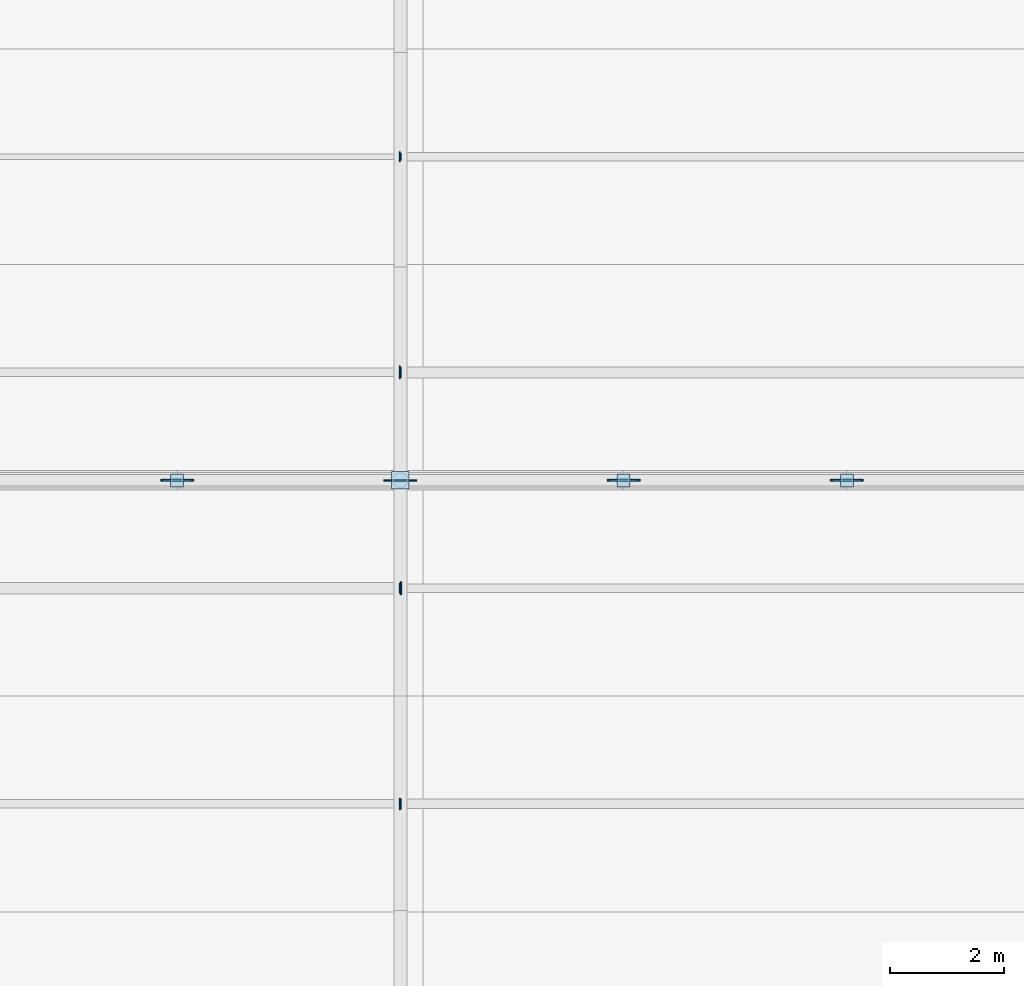
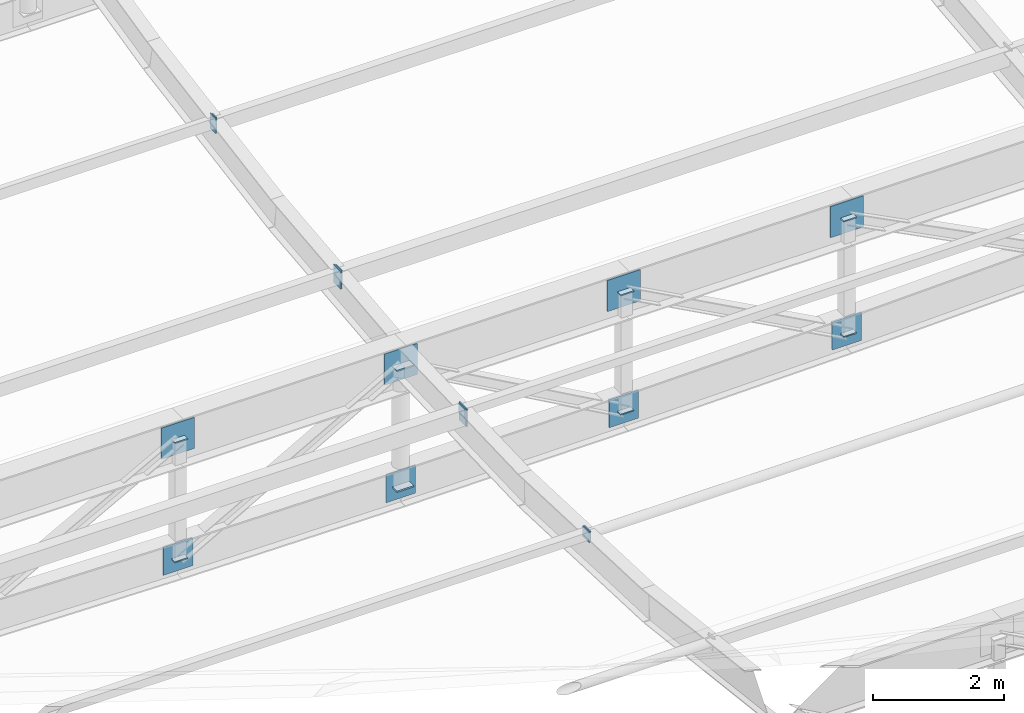
# One storey, part 48 of 65: 24 plates.
"""IFC4 building model written with IfcOpenShell, lengths in metres."""

from ifc_helpers import new_model, si_unit, direction, frame, origin, origin_2d, place, context, subcontext, project, spatial, rectangle, extrude, material, layer, layer_set, type_object, element, save


model = new_model("IFC4")

# Units and contexts
model_context = context("Model", 3, precision=1e-05, world=origin(), true_north=direction((0.0, 1.0)))
body_context = subcontext(model_context, "Body", "Model", "MODEL_VIEW")
ifc_project = project(units=[si_unit("LENGTHUNIT", "METRE"), si_unit("AREAUNIT", "SQUARE_METRE"), si_unit("VOLUMEUNIT", "CUBIC_METRE"), si_unit("PLANEANGLEUNIT", "RADIAN"), si_unit("MASSUNIT", "GRAM", prefix="KILO"), si_unit("POWERUNIT", "WATT"), si_unit("THERMODYNAMICTEMPERATUREUNIT", "KELVIN")], contexts=[model_context])

# Site, building, storey
site_placement = place(None, origin())
site = spatial("IfcSite", under=ifc_project, at=site_placement, CompositionType="ELEMENT")
building_placement = place(site_placement, origin())
building = spatial("IfcBuilding", under=site, at=building_placement, Name="Kelmbourne Parkland Aquatics Centre", CompositionType="ELEMENT")
storey_placement = place(building_placement, frame((0.0, 0.0, 27.0)))
storey = spatial("IfcBuildingStorey", under=building, at=storey_placement, Name="RF", CompositionType="ELEMENT", Elevation=27.0)

# Plates
ifc_material = material(Name="Welded plate steel AS/NZS 3678 Grade 350", Category="steel")
ifc_layer_1 = layer(ifc_material, 0.02001953125)
ifc_layer_set_1 = layer_set([ifc_layer_1], Name="Welded plate steel AS/NZS 3678 Grade 350")
plate_type_1 = type_object("IfcPlateType", Name="PL-CAP-20", PredefinedType="USERDEFINED", material=ifc_layer_set_1)
for number, where, z_axis, x_axis, name in (
    (1, (147.666748046875, 57.800048828125, -15.109130859375), (0.0, 0.0, 1.0), (1.0, 0.0, 0.0), "Hollow end cap plate CAP-0155"),
    (2, (147.666748046875, 57.800048828125, -12.884521484375), (0.0, 0.0, 1.0), (1.0, 0.0, 0.0), "Hollow end cap plate CAP-0156"),
    (3, (155.533203125, 57.800048828125, -15.109130859375), (0.0, 0.0, 1.0), (1.0, 0.0, 0.0), "Hollow end cap plate CAP-0159"),
    (4, (155.533203125, 57.800048828125, -12.884521484375), (0.0, 0.0, 1.0), (1.0, 0.0, 0.0), "Hollow end cap plate CAP-0160"),
    (5, (159.466796875, 57.800048828125, -15.038330078125), (0.0, 0.0, 1.0), (1.0, 0.0, 0.0), "Hollow end cap plate CAP-0161"),
    (6, (159.466796875, 57.800048828125, -12.884521484375), (0.0, 0.0, 1.0), (1.0, 0.0, 0.0), "Hollow end cap plate CAP-0162"),
):
    element("IfcPlate", number, at=place(storey_placement, frame(where, z_axis=z_axis, x_axis=x_axis)), inside=storey, type_object=plate_type_1, Name=name, ObjectType="END CAP PLATE", PredefinedType="USERDEFINED", context=body_context, shape_type="SweptSolid", body=[
        extrude(rectangle(XDim=0.22998046875, YDim=0.22998046875, at=origin_2d()), origin(), (0.0, 0.0, 1.0), 0.02001953125),
    ])
plate_1_placement = place(storey_placement, frame((151.60888671875, 52.10009765625, -12.67822265625), z_axis=(0.0, 0.0, 1.0), x_axis=(1.0, 0.0, 0.0)))
element("IfcPlate", 7, at=plate_1_placement, inside=storey, type_object=plate_type_1, Name="Hollow end cap plate CAP-0408", ObjectType="END CAP PLATE", PredefinedType="USERDEFINED", context=body_context, shape_type="SweptSolid", body=[
    extrude(rectangle(XDim=0.02001953125, YDim=0.179931640625, at=origin_2d()), origin(), (0.0, 0.0, 1.0), 0.179931640625),
])
plate_2_placement = place(storey_placement, frame((151.591064453125, 52.10009765625, -12.69677734375), z_axis=(0.0, 0.0, 1.0), x_axis=(-1.0, 0.0, 0.0)))
element("IfcPlate", 8, at=plate_2_placement, inside=storey, type_object=plate_type_1, Name="Hollow end cap plate CAP-0409", ObjectType="END CAP PLATE", PredefinedType="USERDEFINED", context=body_context, shape_type="SweptSolid", body=[
    extrude(rectangle(XDim=0.02001953125, YDim=0.1982421875, at=origin_2d()), origin(), (0.0, 0.0, 1.0), 0.1982421875),
])
plate_3_placement = place(storey_placement, frame((151.591064453125, 55.89990234375, -12.6865234375), z_axis=(0.0, 0.0, 1.0), x_axis=(-1.0, 0.0, 0.0)))
element("IfcPlate", 9, at=plate_3_placement, inside=storey, type_object=plate_type_1, Name="Hollow end cap plate CAP-0417", ObjectType="END CAP PLATE", PredefinedType="USERDEFINED", context=body_context, shape_type="SweptSolid", body=[
    extrude(rectangle(XDim=0.02001953125, YDim=0.179931640625, at=origin_2d()), origin(), (0.0, 0.0, 1.0), 0.179931640625),
])
plate_4_placement = place(storey_placement, frame((151.60888671875, 59.699951171875, -12.5166015625), z_axis=(0.0, 0.0, 1.0), x_axis=(1.0, 0.0, 0.0)))
element("IfcPlate", 10, at=plate_4_placement, inside=storey, type_object=plate_type_1, Name="Hollow end cap plate CAP-0424", ObjectType="END CAP PLATE", PredefinedType="USERDEFINED", context=body_context, shape_type="SweptSolid", body=[
    extrude(rectangle(XDim=0.02001953125, YDim=0.179931640625, at=origin_2d()), origin(), (0.0, 0.0, 1.0), 0.280029296875),
])
plate_5_placement = place(storey_placement, frame((151.60888671875, 63.5, -11.936279296875), z_axis=(0.0, 0.0, 1.0), x_axis=(1.0, 0.0, 0.0)))
element("IfcPlate", 11, at=plate_5_placement, inside=storey, type_object=plate_type_1, Name="Hollow end cap plate CAP-0432", ObjectType="END CAP PLATE", PredefinedType="USERDEFINED", context=body_context, shape_type="SweptSolid", body=[
    extrude(rectangle(XDim=0.02001953125, YDim=0.1298828125, at=origin_2d()), origin(), (0.0, 0.0, 1.0), 0.22998046875),
])
plate_6_placement = place(storey_placement, frame((151.591064453125, 63.5, -11.986328125), z_axis=(0.0, 0.0, 1.0), x_axis=(-1.0, 0.0, 0.0)))
element("IfcPlate", 12, at=plate_6_placement, inside=storey, type_object=plate_type_1, Name="Hollow end cap plate CAP-0433", ObjectType="END CAP PLATE", PredefinedType="USERDEFINED", context=body_context, shape_type="SweptSolid", body=[
    extrude(rectangle(XDim=0.02001953125, YDim=0.179931640625, at=origin_2d()), origin(), (0.0, 0.0, 1.0), 0.280029296875),
])
ifc_layer_2 = layer(ifc_material, 0.02392578125)
ifc_layer_set_2 = layer_set([ifc_layer_2], Name="Welded plate steel AS/NZS 3678 Grade 350")
plate_type_2 = type_object("IfcPlateType", Name="PL-CAP-24", PredefinedType="USERDEFINED", material=ifc_layer_set_2)
for number, where, z_axis, x_axis, name in (
    (13, (151.60009765625, 57.800048828125, -15.136474609375), (0.0, 0.0, 1.0), (1.0, 0.0, 0.0), "Hollow end cap plate CAP-0157"),
    (14, (151.60009765625, 57.800048828125, -12.884521484375), (0.0, 0.0, 1.0), (1.0, 0.0, 0.0), "Hollow end cap plate CAP-0158"),
):
    element("IfcPlate", number, at=place(storey_placement, frame(where, z_axis=z_axis, x_axis=x_axis)), inside=storey, type_object=plate_type_2, Name=name, ObjectType="END CAP PLATE", PredefinedType="USERDEFINED", context=body_context, shape_type="SweptSolid", body=[
        extrude(rectangle(XDim=0.302978515625, YDim=0.302978515625, at=origin_2d()), origin(), (0.0, 0.0, 1.0), 0.02392578125),
    ])
for number, where, z_axis, x_axis, name in (
    (15, (151.611083984375, 55.89990234375, -12.8369140625), (0.0, 0.0, 1.0), (1.0, 0.0, 0.0), "Hollow end cap plate CAP-0416"),
    (16, (151.589111328125, 59.699951171875, -12.566650390625), (0.0, 0.0, 1.0), (-1.0, 0.0, 0.0), "Hollow end cap plate CAP-0425"),
):
    element("IfcPlate", number, at=place(storey_placement, frame(where, z_axis=z_axis, x_axis=x_axis)), inside=storey, type_object=plate_type_2, Name=name, ObjectType="END CAP PLATE", PredefinedType="USERDEFINED", context=body_context, shape_type="SweptSolid", body=[
        extrude(rectangle(XDim=0.02392578125, YDim=0.22998046875, at=origin_2d()), origin(), (0.0, 0.0, 1.0), 0.330078125),
    ])
ifc_layer_3 = layer(ifc_material, 0.02490234375)
ifc_layer_set_3 = layer_set([ifc_layer_3], Name="Welded plate steel AS/NZS 3678 Grade 350")
plate_type_3 = type_object("IfcPlateType", Name="PL-GUS-2", PredefinedType="USERDEFINED", material=ifc_layer_set_3)
plate_7_placement = place(storey_placement, frame((151.60009765625, 57.800048828125, -13.173583984375), z_axis=(0.0, 0.0, 1.0), x_axis=(1.0, 0.0, 0.0)))
element("IfcPlate", 17, at=plate_7_placement, inside=storey, type_object=plate_type_3, Name="Truss top node TN-2 gusset plate R05-N6", ObjectType="GUSSET PLATE", PredefinedType="USERDEFINED", context=body_context, shape_type="SweptSolid", body=[
    extrude(rectangle(XDim=0.580078125, YDim=0.02490234375, at=origin_2d()), origin(), (0.0, 0.0, 1.0), 0.580078125),
])
plate_8_placement = place(storey_placement, frame((151.60009765625, 57.800048828125, -15.37353515625), z_axis=(0.0, 0.0, 1.0), x_axis=(1.0, 0.0, 0.0)))
element("IfcPlate", 18, at=plate_8_placement, inside=storey, type_object=plate_type_3, Name="Truss bottom node TN-2 gusset plate R05-B6", ObjectType="GUSSET PLATE", PredefinedType="USERDEFINED", context=body_context, shape_type="SweptSolid", body=[
    extrude(rectangle(XDim=0.52001953125, YDim=0.02490234375, at=origin_2d()), origin(), (0.0, 0.0, 1.0), 0.52001953125),
])
ifc_layer_4 = layer(ifc_material, 0.031982421875)
ifc_layer_set_4 = layer_set([ifc_layer_4], Name="Welded plate steel AS/NZS 3678 Grade 350")
plate_type_4 = type_object("IfcPlateType", Name="PL-GUS-3", PredefinedType="USERDEFINED", material=ifc_layer_set_4)
plate_9_placement = place(storey_placement, frame((147.666748046875, 57.800048828125, -13.173583984375), z_axis=(0.0, 0.0, 1.0), x_axis=(1.0, 0.0, 0.0)))
element("IfcPlate", 19, at=plate_9_placement, inside=storey, type_object=plate_type_4, Name="Truss top node TN-3 gusset plate R05-N5", ObjectType="GUSSET PLATE", PredefinedType="USERDEFINED", context=body_context, shape_type="SweptSolid", body=[
    extrude(rectangle(XDim=0.580078125, YDim=0.031982421875, at=origin_2d()), origin(), (0.0, 0.0, 1.0), 0.580078125),
])
plate_10_placement = place(storey_placement, frame((147.666748046875, 57.800048828125, -15.35009765625), z_axis=(0.0, 0.0, 1.0), x_axis=(1.0, 0.0, 0.0)))
element("IfcPlate", 20, at=plate_10_placement, inside=storey, type_object=plate_type_4, Name="Truss bottom node TN-3 gusset plate R05-B5", ObjectType="GUSSET PLATE", PredefinedType="USERDEFINED", context=body_context, shape_type="SweptSolid", body=[
    extrude(rectangle(XDim=0.52001953125, YDim=0.031982421875, at=origin_2d()), origin(), (0.0, 0.0, 1.0), 0.52001953125),
])
plate_11_placement = place(storey_placement, frame((155.533203125, 57.800048828125, -13.173583984375), z_axis=(0.0, 0.0, 1.0), x_axis=(1.0, 0.0, 0.0)))
element("IfcPlate", 21, at=plate_11_placement, inside=storey, type_object=plate_type_4, Name="Truss top node TN-3 gusset plate R05-N7", ObjectType="GUSSET PLATE", PredefinedType="USERDEFINED", context=body_context, shape_type="SweptSolid", body=[
    extrude(rectangle(XDim=0.580078125, YDim=0.031982421875, at=origin_2d()), origin(), (0.0, 0.0, 1.0), 0.580078125),
])
plate_12_placement = place(storey_placement, frame((155.533203125, 57.800048828125, -15.35009765625), z_axis=(0.0, 0.0, 1.0), x_axis=(1.0, 0.0, 0.0)))
element("IfcPlate", 22, at=plate_12_placement, inside=storey, type_object=plate_type_4, Name="Truss bottom node TN-3 gusset plate R05-B7", ObjectType="GUSSET PLATE", PredefinedType="USERDEFINED", context=body_context, shape_type="SweptSolid", body=[
    extrude(rectangle(XDim=0.52001953125, YDim=0.031982421875, at=origin_2d()), origin(), (0.0, 0.0, 1.0), 0.52001953125),
])
plate_13_placement = place(storey_placement, frame((159.466796875, 57.800048828125, -13.173583984375), z_axis=(0.0, 0.0, 1.0), x_axis=(1.0, 0.0, 0.0)))
element("IfcPlate", 23, at=plate_13_placement, inside=storey, type_object=plate_type_4, Name="Truss top node TN-3 gusset plate R05-N8", ObjectType="GUSSET PLATE", PredefinedType="USERDEFINED", context=body_context, shape_type="SweptSolid", body=[
    extrude(rectangle(XDim=0.580078125, YDim=0.031982421875, at=origin_2d()), origin(), (0.0, 0.0, 1.0), 0.580078125),
])
plate_14_placement = place(storey_placement, frame((159.466796875, 57.800048828125, -15.279296875), z_axis=(0.0, 0.0, 1.0), x_axis=(1.0, 0.0, 0.0)))
element("IfcPlate", 24, at=plate_14_placement, inside=storey, type_object=plate_type_4, Name="Truss bottom node TN-3 gusset plate R05-B8", ObjectType="GUSSET PLATE", PredefinedType="USERDEFINED", context=body_context, shape_type="SweptSolid", body=[
    extrude(rectangle(XDim=0.52001953125, YDim=0.031982421875, at=origin_2d()), origin(), (0.0, 0.0, 1.0), 0.52001953125),
])

save(model, "model.ifc")
